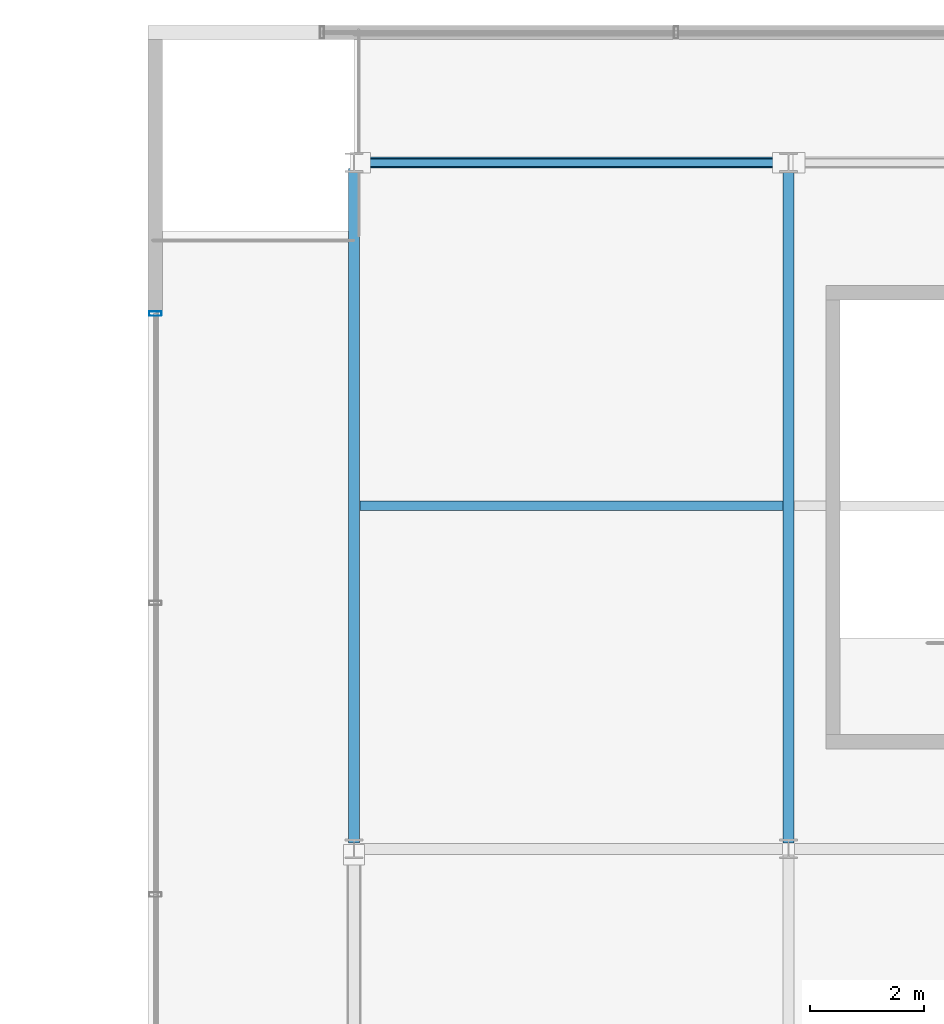
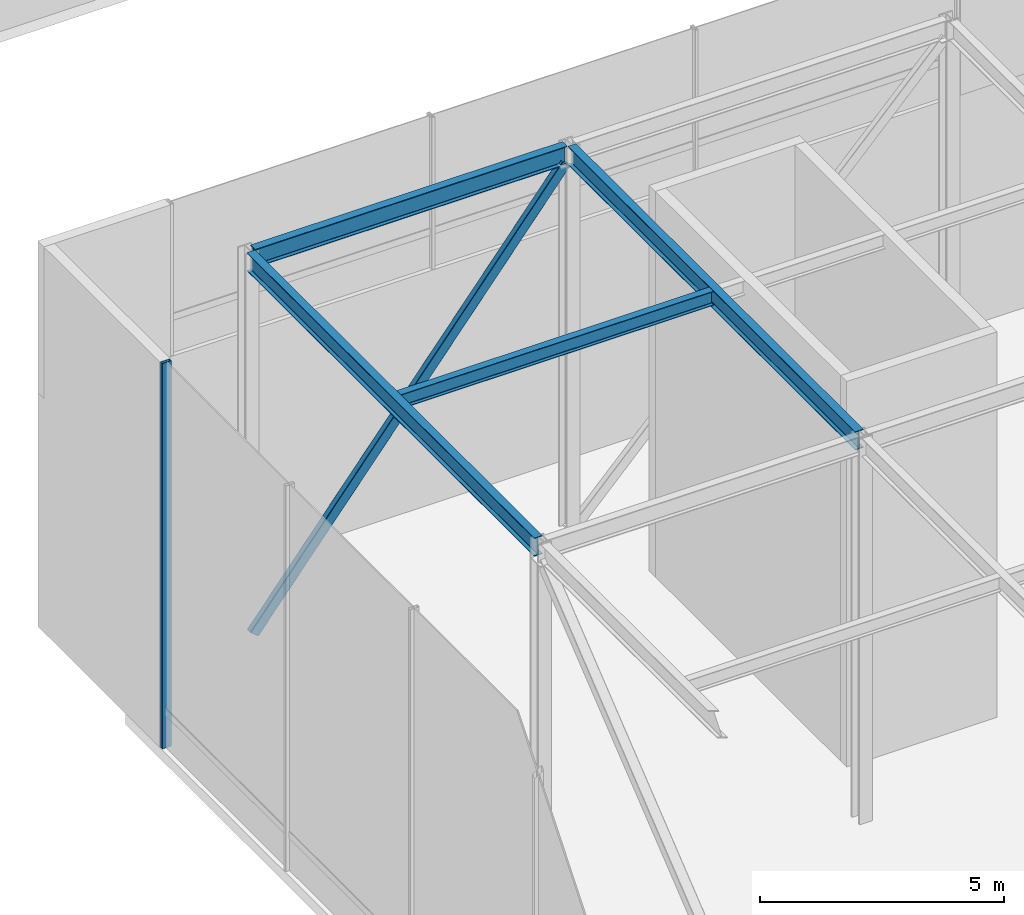
# One storey, part 14 of 42: 4 beams, 2 members, 1 element without a shape of its own.
"""IFC4 building model written with IfcOpenShell, lengths in metres."""

from ifc_helpers import new_model, si_unit, direction, frame, origin, origin_2d, place, context, subcontext, project, spatial, hollow_rectangle, i_section, extrude, material, layer, layer_set, material_profile, profile_set, type_object, element, aggregate, save


model = new_model("IFC4")

# Units and contexts
model_context = context("Model", 3, precision=1e-05, world=origin(), true_north=direction((0.0, 1.0)))
body_context = subcontext(model_context, "Body", "Model", "MODEL_VIEW")
ifc_project = project(units=[si_unit("LENGTHUNIT", "METRE"), si_unit("AREAUNIT", "SQUARE_METRE"), si_unit("VOLUMEUNIT", "CUBIC_METRE"), si_unit("PLANEANGLEUNIT", "RADIAN"), si_unit("MASSUNIT", "GRAM", prefix="KILO")], contexts=[model_context])

# Site, building, storey
site_placement = place(None, origin())
site = spatial("IfcSite", under=ifc_project, at=site_placement, CompositionType="ELEMENT")
building_placement = place(site_placement, origin())
building = spatial("IfcBuilding", under=site, at=building_placement, Name="Korimba Cascade Residences", CompositionType="ELEMENT")
storey_placement = place(building_placement, frame((0.0, 0.0, 207.60009765625)))
storey = spatial("IfcBuildingStorey", under=building, at=storey_placement, Name="L60", CompositionType="ELEMENT", Elevation=207.60009765625)

# Beams
ifc_material_1 = material(Name="Steel S355", Category="steel")
ifc_material_profile_1 = material_profile(ifc_material_1, i_section(OverallWidth=0.172119140625, OverallDepth=0.35791015625, WebThickness=0.008056640625, FlangeThickness=0.012939453125, FilletRadius=0.01025390625, at=origin_2d()), Name="Steel S355")
ifc_profile_set_1 = profile_set([ifc_material_profile_1], Name="Steel S355")
beam_type_1 = type_object("IfcBeamType", Name="BM-STL-UB356", PredefinedType="JOIST", material=ifc_profile_set_1)
beam_1_placement = place(storey_placement, frame((74.60009765625, 24.39990234375, 9.470947265625), z_axis=(1.0, 0.0, 0.0), x_axis=(0.0, 1.0, 0.0)))
element("IfcBeam", 1, at=beam_1_placement, inside=storey, type_object=beam_type_1, Name="L60 Crown Cap Joist W3.1", PredefinedType="JOIST", context=body_context, shape_type="SweptSolid", body=[
    extrude(i_section(OverallWidth=0.172119140625, OverallDepth=0.35791015625, WebThickness=0.008056640625, FlangeThickness=0.012939453125, FilletRadius=0.01025390625, at=origin_2d()), origin(), (0.0, 0.0, 1.0), 7.39990234375),
])
ifc_material_profile_2 = material_profile(ifc_material_1, i_section(OverallWidth=0.19140625, OverallDepth=0.4599609375, WebThickness=0.010009765625, FlangeThickness=0.01611328125, FilletRadius=0.01025390625, at=origin_2d()), Name="Steel S355")
ifc_profile_set_2 = profile_set([ifc_material_profile_2], Name="Steel S355")
beam_type_2 = type_object("IfcBeamType", Name="BM-STL-UB457", PredefinedType="JOIST", material=ifc_profile_set_2)
beam_2_placement = place(storey_placement, frame((74.60498046875, 30.39990234375, 9.419921875), z_axis=(1.0, 0.0, 0.0), x_axis=(0.0, 1.0, 0.0)))
element("IfcBeam", 2, at=beam_2_placement, inside=storey, type_object=beam_type_2, Name="L60 Crown Cap Ring Beam W4.1", PredefinedType="JOIST", context=body_context, shape_type="SweptSolid", body=[
    extrude(i_section(OverallWidth=0.19140625, OverallDepth=0.4599609375, WebThickness=0.010009765625, FlangeThickness=0.01611328125, FilletRadius=0.01025390625, at=origin_2d()), origin(), (0.0, 0.0, 1.0), 7.39013671875),
])
for number, where, z_axis, x_axis, name in (
    (3, (74.5, 18.5048828125, 9.419921875), (0.0, 1.0, 0.0), (-1.0, 0.0, 0.0), "L60 Crown Cap Tie Beam W1.3"),
    (4, (82.10009765625, 18.5048828125, 9.419921875), (0.0, 1.0, 0.0), (-1.0, 0.0, 0.0), "L60 Crown Cap Tie Beam W2.3"),
):
    element("IfcBeam", number, at=place(storey_placement, frame(where, z_axis=z_axis, x_axis=x_axis)), inside=storey, type_object=beam_type_2, Name=name, PredefinedType="JOIST", context=body_context, shape_type="SweptSolid", body=[
        extrude(i_section(OverallWidth=0.19140625, OverallDepth=0.4599609375, WebThickness=0.010009765625, FlangeThickness=0.01611328125, FilletRadius=0.01025390625, at=origin_2d()), origin(), (0.0, 0.0, 1.0), 11.7900390625),
    ])

# Curtain wall, member
ifc_material_2 = material(Name="Anodised Aluminium Curtain Wall Framing", Category="aluminium")
ifc_layer = layer(ifc_material_2, 0.179931640625)
ifc_layer_set = layer_set([ifc_layer], Name="Anodised Aluminium Curtain Wall Framing")
curtain_wall_type = type_object("IfcCurtainWallType", Name="CW-CRNE-SYS6", PredefinedType="NOTDEFINED", material=ifc_layer_set)
curtain_wall_placement = place(storey_placement, origin())
curtain_wall = element("IfcCurtainWall", 5, at=curtain_wall_placement, inside=storey, type_object=curtain_wall_type, Name="L60 Curtain Wall CW-L60-CRN-W-1", PredefinedType="NOTDEFINED")
ifc_material_3 = material(Name="Anodised Aluminium Mullion", Category="aluminium")
ifc_material_profile_3 = material_profile(ifc_material_3, hollow_rectangle(XDim=0.080078125, YDim=0.219970703125, WallThickness=0.00634765625, InnerFilletRadius=0.00634765625, OuterFilletRadius=0.0126953125, at=origin_2d()), Name="Anodised Aluminium Mullion")
ifc_profile_set_3 = profile_set([ifc_material_profile_3], Name="Anodised Aluminium Mullion")
member_type_1 = type_object("IfcMemberType", Name="CWM-MUL-220", PredefinedType="MULLION", material=ifc_profile_set_3)
member_1_placement = place(storey_placement, frame((71.02490234375, 27.760009765625, 0.0), z_axis=(0.0, 0.0, 1.0), x_axis=(0.0, 1.0, 0.0)))
member_1 = element("IfcMember", 6, at=member_1_placement, type_object=member_type_1, Name="CW-L60-CRN-W-1 Mullion 7", PredefinedType="MULLION", context=body_context, shape_type="SweptSolid", body=[
    extrude(hollow_rectangle(XDim=0.080078125, YDim=0.219970703125, WallThickness=0.00634765625, InnerFilletRadius=0.00634765625, OuterFilletRadius=0.0126953125, at=origin_2d()), origin(), (0.0, 0.0, 1.0), 9.64990234375),
])
aggregate(curtain_wall, [member_1])

# Member
ifc_material_profile_4 = material_profile(ifc_material_1, hollow_rectangle(XDim=0.14990234375, YDim=0.25, WallThickness=0.009033203125, InnerFilletRadius=0.009033203125, OuterFilletRadius=0.01806640625, at=origin_2d()), Name="Steel S355")
ifc_profile_set_4 = profile_set([ifc_material_profile_4], Name="Steel S355")
member_type_2 = type_object("IfcMemberType", Name="MEM-CRN-RHS250", PredefinedType="BRACE", material=ifc_profile_set_4)
member_2_placement = place(storey_placement, frame((74.60498046875, 30.39990234375, 0.0), z_axis=(0.626424790047, 0.0, 0.779481867919), x_axis=(0.0, 1.0, 0.0)))
element("IfcMember", 7, at=member_2_placement, inside=storey, type_object=member_type_2, Name="L60 CROWN FRAME Diagonal Brace W4.1", PredefinedType="BRACE", context=body_context, shape_type="SweptSolid", body=[
    extrude(hollow_rectangle(XDim=0.14990234375, YDim=0.25, WallThickness=0.009033203125, InnerFilletRadius=0.009033203125, OuterFilletRadius=0.01806640625, at=origin_2d()), origin(), (0.0, 0.0, 1.0), 11.79736328125),
])

save(model, "model.ifc")
